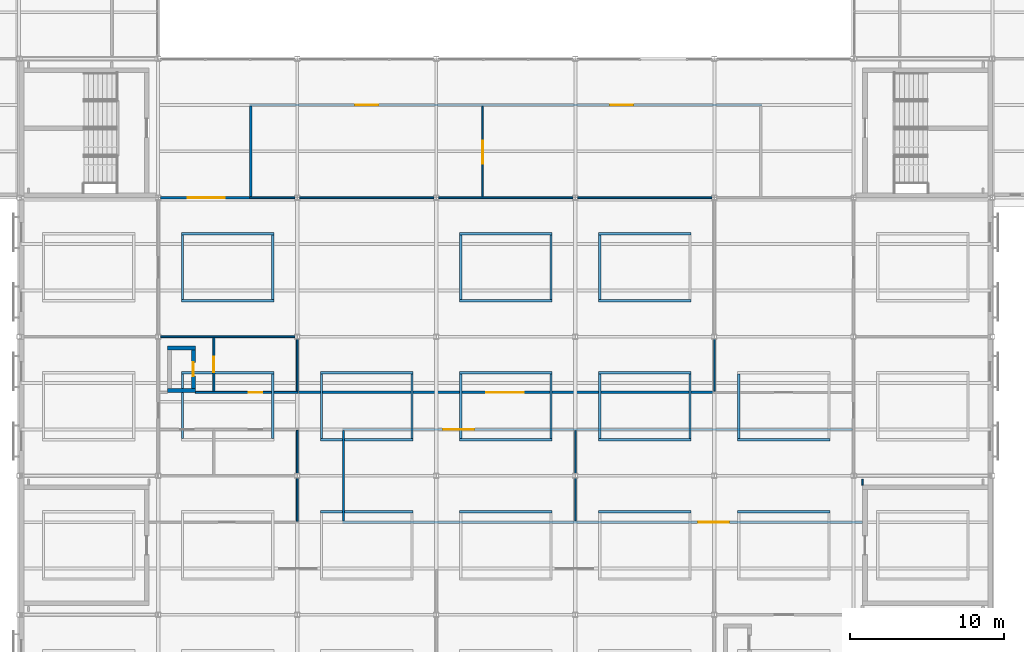
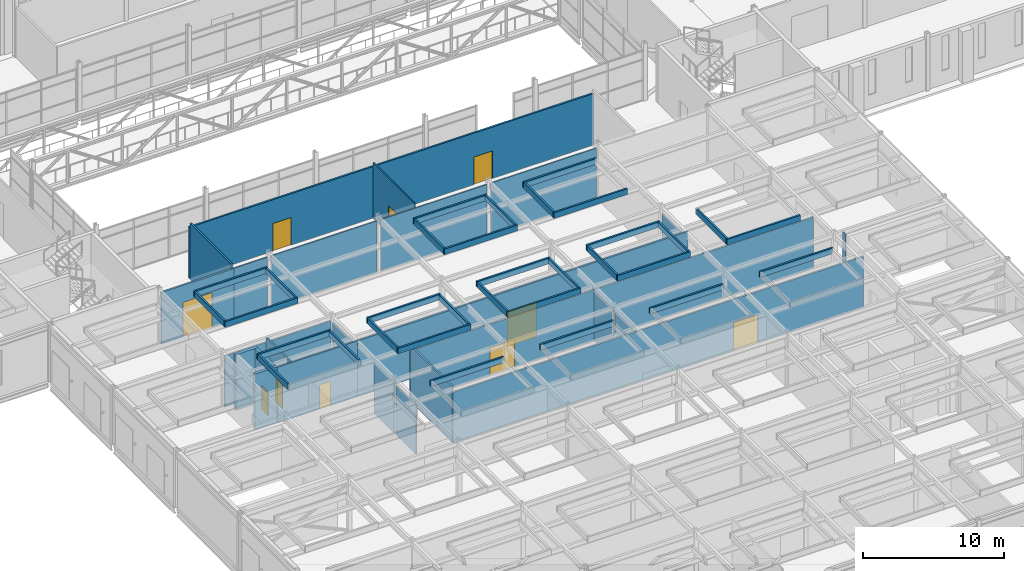
# One storey, part 81 of 115: 57 walls, 10 doors, 10 openings.
"""IFC4 building model written with IfcOpenShell, lengths in metres."""

import ifcopenshell
import ifcopenshell.guid

model = None  # the IFC model being written
_history = None  # IfcOwnerHistory: only IFC2X3 demands one
_inside = {}  # id of a spatial element -> (the spatial element, [elements in it])
_under = {}  # id of a project, library or spatial element -> (it, [spatial elements below it])
_declared = {}  # id of a project -> (the project, [libraries it declares])
_typed = {}  # id of a type object -> (the type object, [elements of that type])
_made_of = {}  # id of a material, layer set ... -> (it, [elements and type objects made of it])


def new_model(schema):
    """Start an empty IFC model of exactly this schema.

    Asked for "IFC4X3", IfcOpenShell would pick the latest addendum, in which some entities
    have other attributes; the version numbers below select the first issue.
    IFC2X3 requires an IfcOwnerHistory on every rooted entity: one is made here for all.
    """
    global model, _history
    if schema == "IFC4X3":
        model = ifcopenshell.file(schema_version=(4, 3, 0, 0))
    else:
        model = ifcopenshell.file(schema=schema)
    _inside.clear()
    _under.clear()
    _declared.clear()
    _typed.clear()
    _made_of.clear()
    _history = None
    if model.schema == "IFC2X3":
        org = make("IfcOrganization", Name="unknown")
        user = make(
            "IfcPersonAndOrganization",
            ThePerson=make("IfcPerson", FamilyName="unknown"),
            TheOrganization=org,
        )
        app = make(
            "IfcApplication",
            ApplicationDeveloper=org,
            Version="unknown",
            ApplicationFullName="unknown",
            ApplicationIdentifier="unknown",
        )
        _history = make(
            "IfcOwnerHistory",
            OwningUser=user,
            OwningApplication=app,
            ChangeAction="ADDED",
            CreationDate=0,
        )
    return model


def make(cls, **values):
    """One entity of the class cls with the attributes given. An attribute that is None is left unset."""
    return model.create_entity(
        cls, **{name: value for name, value in values.items() if value is not None}
    )


def rooted(cls, **values):
    """An entity with a GlobalId (a new one), such as an element, a storey or a relation."""
    return make(cls, GlobalId=ifcopenshell.guid.new(), OwnerHistory=_history, **values)


def si_unit(unit_type, name, prefix=None):
    """IfcSIUnit, for example si_unit("LENGTHUNIT", "METRE", prefix="MILLI")."""
    return make("IfcSIUnit", UnitType=unit_type, Prefix=prefix, Name=name)


def assignment(units):
    """IfcUnitAssignment: the units of a project."""
    return None if units is None else make("IfcUnitAssignment", Units=units)


def point(xyz):
    """IfcCartesianPoint."""
    return None if xyz is None else make("IfcCartesianPoint", Coordinates=xyz)


def direction(xyz):
    """IfcDirection."""
    return None if xyz is None else make("IfcDirection", DirectionRatios=xyz)


def frame(location, z_axis=None, x_axis=None):
    """IfcAxis2Placement3D, a coordinate frame: its origin and axes. An axis left out is left unset."""
    return make(
        "IfcAxis2Placement3D",
        Location=point(location),
        Axis=direction(z_axis),
        RefDirection=direction(x_axis),
    )


def frame_2d(location, x_axis=None):
    """IfcAxis2Placement2D, a coordinate frame in the plane: its origin and x axis."""
    return make(
        "IfcAxis2Placement2D", Location=point(location), RefDirection=direction(x_axis)
    )


def origin():
    """The frame at (0, 0, 0) with its axes left unset."""
    return frame((0.0, 0.0, 0.0))


def place(relative_to, where):
    """IfcLocalPlacement: puts the frame where relative to a parent placement (None: the world)."""
    return make(
        "IfcLocalPlacement", PlacementRelTo=relative_to, RelativePlacement=where
    )


def context(
    kind, dimensions, precision=None, world=None, true_north=None, identifier=None
):
    """IfcGeometricRepresentationContext, for example the 3D "Model" context."""
    return make(
        "IfcGeometricRepresentationContext",
        ContextIdentifier=identifier,
        ContextType=kind,
        CoordinateSpaceDimension=dimensions,
        Precision=precision,
        WorldCoordinateSystem=world,
        TrueNorth=true_north,
    )


def subcontext(parent, identifier, kind, view, scale=None):
    """IfcGeometricRepresentationSubContext, for example "Body" below "Model"."""
    return make(
        "IfcGeometricRepresentationSubContext",
        ContextIdentifier=identifier,
        ContextType=kind,
        ParentContext=parent,
        TargetScale=scale,
        TargetView=view,
    )


def project(units=None, contexts=None):
    """IfcProject with its units and contexts."""
    return rooted(
        "IfcProject",
        Name="project",
        RepresentationContexts=contexts,
        UnitsInContext=assignment(units),
    )


def spatial(cls, under=None, at=None, **own):
    """A site, building, storey or space (cls), placed at a placement, below another one or the project."""
    s = rooted(cls, ObjectPlacement=at, **own)
    if under is not None:
        _under.setdefault(under.id(), (under, []))[1].append(s)
    return s


def profile(cls, at=None, kind="AREA", **sizes):
    """A parametric profile (cls). Its sizes go by their IFC names, for example OverallWidth=200.0."""
    return make(cls, ProfileType=kind, Position=at, **sizes)


def rectangle(**sizes):
    """IfcRectangleProfileDef."""
    return profile("IfcRectangleProfileDef", **sizes)


def extrude(swept, where, along, depth):
    """IfcExtrudedAreaSolid: the profile swept, set in the frame where, extruded along a direction by depth."""
    return make(
        "IfcExtrudedAreaSolid",
        SweptArea=swept,
        Position=where,
        ExtrudedDirection=direction(along),
        Depth=depth,
    )


def shape(context_of_items, identifier, shape_type, items):
    """IfcShapeRepresentation: the items that make up one representation, for example the "Body"."""
    return make(
        "IfcShapeRepresentation",
        ContextOfItems=context_of_items,
        RepresentationIdentifier=identifier,
        RepresentationType=shape_type,
        Items=items,
    )


def material(Name=None, Category=None):
    """IfcMaterial."""
    return make("IfcMaterial", Name=Name, Category=Category)


def layer(
    of_material, thickness, ventilated=None, Name=None, Category=None, Priority=None
):
    """IfcMaterialLayer: one layer of a wall or slab, of a material (None: an air gap)."""
    return make(
        "IfcMaterialLayer",
        Material=of_material,
        LayerThickness=thickness,
        IsVentilated=ventilated,
        Name=Name,
        Category=Category,
        Priority=Priority,
    )


def layer_set(layers, Name=None):
    """IfcMaterialLayerSet."""
    return make("IfcMaterialLayerSet", MaterialLayers=layers, LayerSetName=Name)


def made_of(thing, what):
    """Note that an element or type object is made of a material, layer set ...; save() writes the relation."""
    if what is not None:
        _made_of.setdefault(what.id(), (what, []))[1].append(thing)
    return thing


def type_object(cls, material=None, **own):
    """A type object (cls), such as IfcWallType, which elements share."""
    return made_of(rooted(cls, **own), material)


def element(
    cls,
    number,
    at=None,
    inside=None,
    cuts=None,
    type_object=None,
    material=None,
    context=None,
    identifier="Body",
    shape_type=None,
    held_by="IfcProductDefinitionShape",
    body=None,
    shapes=None,
    **own,
):
    """One element of the class cls, such as IfcWall. Its Tag is "e" and its number.

    at: its placement. inside: the storey or other place that contains it. cuts: it is an
    opening in that element (IfcRelVoidsElement). A single representation is given by context,
    identifier, shape_type and body (its items); several are given by shapes. held_by: the class
    of the entity that holds the representations. save() writes the other relations.
    """
    e = rooted(cls, Tag="e%d" % number, ObjectPlacement=at, **own)
    if body is not None:
        shapes = [shape(context, identifier, shape_type, body)]
    if shapes is not None:
        e.Representation = make(held_by, Representations=shapes)
    if inside is not None:
        _inside.setdefault(inside.id(), (inside, []))[1].append(e)
    if cuts is not None:
        rooted(
            "IfcRelVoidsElement", RelatingBuildingElement=cuts, RelatedOpeningElement=e
        )
    if type_object is not None:
        _typed.setdefault(type_object.id(), (type_object, []))[1].append(e)
    return made_of(e, material)


def fill(opening, filler):
    """IfcRelFillsElement: the door or window that sits in an opening."""
    return rooted(
        "IfcRelFillsElement",
        RelatingOpeningElement=opening,
        RelatedBuildingElement=filler,
    )


def aggregate(whole, parts):
    """IfcRelAggregates: a whole, such as a stair, and the parts it consists of."""
    return rooted("IfcRelAggregates", RelatingObject=whole, RelatedObjects=parts)


def save(model, path):
    """Write the relations noted so far, then the file.

    IfcRelAggregates (storeys below a building ...), IfcRelContainedInSpatialStructure (elements
    in a storey), IfcRelDefinesByType, IfcRelAssociatesMaterial and IfcRelDeclares: one each for
    every whole, place, type object, material and project.
    """
    for whole, parts in _under.values():
        aggregate(whole, parts)
    for where, things in _inside.values():
        rooted(
            "IfcRelContainedInSpatialStructure",
            RelatedElements=things,
            RelatingStructure=where,
        )
    for kind, things in _typed.values():
        rooted("IfcRelDefinesByType", RelatedObjects=things, RelatingType=kind)
    for what, things in _made_of.values():
        rooted("IfcRelAssociatesMaterial", RelatedObjects=things, RelatingMaterial=what)
    for by, libraries in _declared.values():
        rooted("IfcRelDeclares", RelatingContext=by, RelatedDefinitions=libraries)
    model.write(path)


model = new_model("IFC4")

# Units and contexts
model_context = context("Model", 3, precision=1e-05, world=origin(), true_north=direction((0.0, 1.0)))
body_context = subcontext(model_context, "Body", "Model", "MODEL_VIEW")
ifc_project = project(units=[si_unit("LENGTHUNIT", "METRE"), si_unit("AREAUNIT", "SQUARE_METRE"), si_unit("VOLUMEUNIT", "CUBIC_METRE"), si_unit("PLANEANGLEUNIT", "RADIAN"), si_unit("MASSUNIT", "GRAM", prefix="KILO")], contexts=[model_context])

# Site, building, storey
site_placement = place(None, origin())
site = spatial("IfcSite", under=ifc_project, at=site_placement, CompositionType="ELEMENT")
building_placement = place(site_placement, origin())
building = spatial("IfcBuilding", under=site, at=building_placement, Name="Shorebreak Coast Museum", CompositionType="ELEMENT")
storey_placement = place(building_placement, frame((0.0, 0.0, 11.0)))
storey = spatial("IfcBuildingStorey", under=building, at=storey_placement, Name="L02", CompositionType="ELEMENT", Elevation=11.0)

# Wall, opening, door
ifc_material_1 = material(Name="Plasterboard on steel stud", Category="steel")
ifc_layer_1 = layer(ifc_material_1, 0.14990234375)
ifc_layer_set_1 = layer_set([ifc_layer_1], Name="Plasterboard on steel stud")
wall_type_1 = type_object("IfcWallType", Name="Fire partition 150", PredefinedType="PARTITIONING", material=ifc_layer_set_1)
wall_1_placement = place(storey_placement, frame((74.925048828125, 33.0, 0.0), z_axis=(0.0, 0.0, 1.0), x_axis=(1.0, 0.0, 0.0)))
wall_1 = element("IfcWall", 1, at=wall_1_placement, inside=storey, type_object=wall_type_1, Name="Partition L02-018", PredefinedType="PARTITIONING", context=body_context, shape_type="SweptSolid", body=[
    extrude(rectangle(XDim=33.675048828125, YDim=0.14990234375, at=frame_2d((16.83740234375, 0.0))), origin(), (0.0, 0.0, 1.0), 4.42236328125),
])
opening_1_placement = place(wall_1_placement, frame((23.02490234375, 0.0, 0.0)))
opening_1 = element("IfcOpeningElement", 2, at=opening_1_placement, cuts=wall_1, Name="Opening D2035", PredefinedType="OPENING", context=body_context, shape_type="SweptSolid", body=[
    extrude(rectangle(XDim=2.0, YDim=2.39990234375, at=frame_2d((1.0, 1.199951171875))), frame((0.0, 0.0849609375, 0.0), z_axis=(0.0, -1.0, 0.0), x_axis=(1.0, 0.0, 0.0)), (0.0, 0.0, 1.0), 0.169921875),
])
ifc_material_2 = material(Name="Steel", Category="steel")
door_type_1 = type_object("IfcDoorType", Name="Fire door 2000x2400 60", OperationType="DOUBLE_DOOR_SINGLE_SWING", PredefinedType="DOOR", material=ifc_material_2)
door_1_placement = place(opening_1_placement, origin())
door_1 = element("IfcDoor", 3, at=door_1_placement, inside=storey, type_object=door_type_1, Name="Door D2035 Archive 2.06", OperationType="DOUBLE_DOOR_SINGLE_SWING", OverallHeight=2.39990234375, OverallWidth=2.0, PredefinedType="DOOR", context=body_context, shape_type="SweptSolid", body=[
    extrude(rectangle(XDim=2.0, YDim=2.39990234375, at=frame_2d((1.0, 1.199951171875))), frame((0.0, 0.02490234375, 0.0), z_axis=(0.0, -1.0, 0.0), x_axis=(1.0, 0.0, 0.0)), (0.0, 0.0, 1.0), 0.050048828125),
])
fill(opening_1, door_1)

wall_2_placement = place(storey_placement, frame((74.925048828125, 39.0, 0.0), z_axis=(0.0, 0.0, 1.0), x_axis=(1.0, 0.0, 0.0)))
wall_2 = element("IfcWall", 4, at=wall_2_placement, inside=storey, type_object=wall_type_1, Name="Partition L02-021", PredefinedType="PARTITIONING", context=body_context, shape_type="SweptSolid", body=[
    extrude(rectangle(XDim=33.02490234375, YDim=0.14990234375, at=frame_2d((16.512451171875, 0.0))), origin(), (0.0, 0.0, 1.0), 4.42236328125),
])
opening_2_placement = place(wall_2_placement, frame((6.52490234375, 0.0, 0.0)))
opening_2 = element("IfcOpeningElement", 5, at=opening_2_placement, cuts=wall_2, Name="Opening D2034", PredefinedType="OPENING", context=body_context, shape_type="SweptSolid", body=[
    extrude(rectangle(XDim=2.0, YDim=2.39990234375, at=frame_2d((1.0, 1.199951171875))), frame((0.0, 0.0849609375, 0.0), z_axis=(0.0, -1.0, 0.0), x_axis=(1.0, 0.0, 0.0)), (0.0, 0.0, 1.0), 0.169921875),
])
door_2_placement = place(opening_2_placement, origin())
door_2 = element("IfcDoor", 6, at=door_2_placement, inside=storey, type_object=door_type_1, Name="Door D2034 Archive 2.05", OperationType="DOUBLE_DOOR_SINGLE_SWING", OverallHeight=2.39990234375, OverallWidth=2.0, PredefinedType="DOOR", context=body_context, shape_type="SweptSolid", body=[
    extrude(rectangle(XDim=2.0, YDim=2.39990234375, at=frame_2d((1.0, 1.199951171875))), frame((0.0, 0.02490234375, 0.0), z_axis=(0.0, -1.0, 0.0), x_axis=(1.0, 0.0, 0.0)), (0.0, 0.0, 1.0), 0.050048828125),
])
fill(opening_2, door_2)

wall_3_placement = place(storey_placement, frame((71.9375, 41.39990234375, 0.0), z_axis=(0.0, 0.0, 1.0), x_axis=(1.0, 0.0, 0.0)))
wall_3 = element("IfcWall", 7, at=wall_3_placement, inside=storey, type_object=wall_type_1, Name="Partition L02-024", PredefinedType="PARTITIONING", context=body_context, shape_type="SweptSolid", body=[
    extrude(rectangle(XDim=27.112548828125, YDim=0.14990234375, at=frame_2d((13.55615234375, 0.0))), origin(), (0.0, 0.0, 1.0), 4.824951171875),
])
opening_3_placement = place(wall_3_placement, frame((12.3125, 0.0, 0.0)))
opening_3 = element("IfcOpeningElement", 8, at=opening_3_placement, cuts=wall_3, Name="Opening D2043", PredefinedType="OPENING", context=body_context, shape_type="SweptSolid", body=[
    extrude(rectangle(XDim=2.39990234375, YDim=3.0, at=frame_2d((1.199951171875, 1.5))), frame((0.0, 0.0849609375, 0.0), z_axis=(0.0, -1.0, 0.0), x_axis=(1.0, 0.0, 0.0)), (0.0, 0.0, 1.0), 0.169921875),
])
ifc_material_3 = material(Name="Steel", Category="steel")
door_type_2 = type_object("IfcDoorType", Name="Fire door 2400x3000 60", OperationType="DOUBLE_DOOR_SINGLE_SWING", PredefinedType="DOOR", material=ifc_material_3)
door_3_placement = place(opening_3_placement, origin())
door_3 = element("IfcDoor", 9, at=door_3_placement, inside=storey, type_object=door_type_2, Name="Door D2043 Archive 2.07", OperationType="DOUBLE_DOOR_SINGLE_SWING", OverallHeight=3.0, OverallWidth=2.39990234375, PredefinedType="DOOR", context=body_context, shape_type="SweptSolid", body=[
    extrude(rectangle(XDim=2.39990234375, YDim=3.0, at=frame_2d((1.199951171875, 1.5))), frame((0.0, 0.02490234375, 0.0), z_axis=(0.0, -1.0, 0.0), x_axis=(1.0, 0.0, 0.0)), (0.0, 0.0, 1.0), 0.050048828125),
])
fill(opening_3, door_3)

wall_4_placement = place(storey_placement, frame((63.153564453125, 54.0, 0.0), z_axis=(0.0, 0.0, 1.0), x_axis=(1.0, 0.0, 0.0)))
wall_4 = element("IfcWall", 10, at=wall_4_placement, inside=storey, type_object=wall_type_1, Name="Partition L02-029", PredefinedType="PARTITIONING", context=body_context, shape_type="SweptSolid", body=[
    extrude(rectangle(XDim=5.92138671875, YDim=0.14990234375, at=frame_2d((2.960693359375, 0.0))), origin(), (0.0, 0.0, 1.0), 4.469482421875),
])
opening_4_placement = place(wall_4_placement, frame((1.75, 0.0, 0.0)))
opening_4 = element("IfcOpeningElement", 11, at=opening_4_placement, cuts=wall_4, Name="Opening D2066", PredefinedType="OPENING", context=body_context, shape_type="SweptSolid", body=[
    extrude(rectangle(XDim=2.39990234375, YDim=3.0, at=frame_2d((1.199951171875, 1.5))), frame((0.0, 0.0849609375, 0.0), z_axis=(0.0, -1.0, 0.0), x_axis=(1.0, 0.0, 0.0)), (0.0, 0.0, 1.0), 0.169921875),
])
door_4_placement = place(opening_4_placement, origin())
door_4 = element("IfcDoor", 12, at=door_4_placement, inside=storey, type_object=door_type_2, Name="Door D2066 Archive 2.07", OperationType="DOUBLE_DOOR_SINGLE_SWING", OverallHeight=3.0, OverallWidth=2.39990234375, PredefinedType="DOOR", context=body_context, shape_type="SweptSolid", body=[
    extrude(rectangle(XDim=2.39990234375, YDim=3.0, at=frame_2d((1.199951171875, 1.5))), frame((0.0, 0.02490234375, 0.0), z_axis=(0.0, -1.0, 0.0), x_axis=(1.0, 0.0, 0.0)), (0.0, 0.0, 1.0), 0.050048828125),
])
fill(opening_4, door_4)

# Wall, openings, doors
wall_5_placement = place(storey_placement, frame((68.925048828125, 60.0, 0.0), z_axis=(0.0, 0.0, 1.0), x_axis=(1.0, 0.0, 0.0)))
wall_5 = element("IfcWall", 13, at=wall_5_placement, inside=storey, type_object=wall_type_1, Name="Partition L02-041", PredefinedType="PARTITIONING", context=body_context, shape_type="SweptSolid", body=[
    extrude(rectangle(XDim=33.14990234375, YDim=0.14990234375, at=frame_2d((16.574951171875, 0.0))), origin(), (0.0, 0.0, 1.0), 4.469482421875),
])
opening_5_placement = place(wall_5_placement, frame((6.824951171875, 0.0, 0.0)))
opening_5 = element("IfcOpeningElement", 14, at=opening_5_placement, cuts=wall_5, Name="Opening D2003", PredefinedType="OPENING", context=body_context, shape_type="SweptSolid", body=[
    extrude(rectangle(XDim=1.5, YDim=2.39990234375, at=frame_2d((0.75, 1.199951171875))), frame((0.0, 0.0849609375, 0.0), z_axis=(0.0, -1.0, 0.0), x_axis=(1.0, 0.0, 0.0)), (0.0, 0.0, 1.0), 0.169921875),
])
opening_6_placement = place(wall_5_placement, frame((23.324951171875, 0.0, 0.0)))
opening_6 = element("IfcOpeningElement", 15, at=opening_6_placement, cuts=wall_5, Name="Opening D2004", PredefinedType="OPENING", context=body_context, shape_type="SweptSolid", body=[
    extrude(rectangle(XDim=1.5, YDim=2.39990234375, at=frame_2d((0.75, 1.199951171875))), frame((0.0, 0.0849609375, 0.0), z_axis=(0.0, -1.0, 0.0), x_axis=(1.0, 0.0, 0.0)), (0.0, 0.0, 1.0), 0.169921875),
])
ifc_material_4 = material(Name="Steel", Category="steel")
door_type_3 = type_object("IfcDoorType", Name="Fire door 1500x2400 60", OperationType="DOUBLE_DOOR_SINGLE_SWING", PredefinedType="DOOR", material=ifc_material_4)
door_5_placement = place(opening_5_placement, origin())
door_5 = element("IfcDoor", 16, at=door_5_placement, inside=storey, type_object=door_type_3, Name="Door D2003 Surf Craft Gallery", OperationType="DOUBLE_DOOR_SINGLE_SWING", OverallHeight=2.39990234375, OverallWidth=1.5, PredefinedType="DOOR", context=body_context, shape_type="SweptSolid", body=[
    extrude(rectangle(XDim=1.5, YDim=2.39990234375, at=frame_2d((0.75, 1.199951171875))), frame((0.0, 0.02490234375, 0.0), z_axis=(0.0, -1.0, 0.0), x_axis=(1.0, 0.0, 0.0)), (0.0, 0.0, 1.0), 0.050048828125),
])
fill(opening_5, door_5)
door_6_placement = place(opening_6_placement, origin())
door_6 = element("IfcDoor", 17, at=door_6_placement, inside=storey, type_object=door_type_3, Name="Door D2004 Photography Gallery", OperationType="DOUBLE_DOOR_SINGLE_SWING", OverallHeight=2.39990234375, OverallWidth=1.5, PredefinedType="DOOR", context=body_context, shape_type="SweptSolid", body=[
    extrude(rectangle(XDim=1.5, YDim=2.39990234375, at=frame_2d((0.75, 1.199951171875))), frame((0.0, 0.02490234375, 0.0), z_axis=(0.0, -1.0, 0.0), x_axis=(1.0, 0.0, 0.0)), (0.0, 0.0, 1.0), 0.050048828125),
])
fill(opening_6, door_6)

# Walls
for number, where, z_axis, x_axis, name in (
    (18, (69.0, 54.074951171875, 0.0), (0.0, 0.0, 1.0), (0.0, 1.0, 0.0), "Partition L02-124"),
    (19, (75.0, 33.074951171875, 0.0), (0.0, 0.0, 1.0), (0.0, 1.0, 0.0), "Partition L02-130"),
):
    element("IfcWall", number, at=place(storey_placement, frame(where, z_axis=z_axis, x_axis=x_axis)), inside=storey, type_object=wall_type_1, Name=name, PredefinedType="PARTITIONING", context=body_context, shape_type="SweptSolid", body=[
        extrude(rectangle(XDim=5.85009765625, YDim=0.14990234375, at=frame_2d((2.925048828125, 0.0))), origin(), (0.0, 0.0, 1.0), 4.824951171875),
    ])
ifc_material_5 = material(Name="Plasterboard on steel stud", Category="steel")
ifc_layer_2 = layer(ifc_material_5, 0.10009765625)
ifc_layer_set_2 = layer_set([ifc_layer_2], Name="Plasterboard on steel stud")
wall_type_2 = type_object("IfcWallType", Name="Partition 100", PredefinedType="PARTITIONING", material=ifc_layer_set_2)
wall_6_placement = place(storey_placement, frame((68.925048828125, 54.0, 0.0), z_axis=(0.0, 0.0, 1.0), x_axis=(1.0, 0.0, 0.0)))
element("IfcWall", 20, at=wall_6_placement, inside=storey, type_object=wall_type_2, Name="Partition L02-030", PredefinedType="PARTITIONING", context=body_context, shape_type="SweptSolid", body=[
    extrude(rectangle(XDim=2.92138671875, YDim=0.10009765625, at=frame_2d((1.460693359375, 0.0))), origin(), (0.0, 0.0, 1.0), 4.469482421875),
])
for number, where, z_axis, x_axis, name in (
    (21, (72.153564453125, 54.0, 0.0), (0.0, 0.0, 1.0), (1.0, 0.0, 0.0), "Partition L02-031"),
    (22, (81.153564453125, 54.0, 0.0), (0.0, 0.0, 1.0), (1.0, 0.0, 0.0), "Partition L02-032"),
    (23, (90.153564453125, 54.0, 0.0), (0.0, 0.0, 1.0), (1.0, 0.0, 0.0), "Partition L02-033"),
):
    element("IfcWall", number, at=place(storey_placement, frame(where, z_axis=z_axis, x_axis=x_axis)), inside=storey, type_object=wall_type_2, Name=name, PredefinedType="PARTITIONING", context=body_context, shape_type="SweptSolid", body=[
        extrude(rectangle(XDim=8.69287109375, YDim=0.10009765625, at=frame_2d((4.346435546875, 0.0))), origin(), (0.0, 0.0, 1.0), 4.469482421875),
    ])
wall_7_placement = place(storey_placement, frame((72.0, 33.050048828125, 0.0), z_axis=(0.0, 0.0, 1.0), x_axis=(0.0, 1.0, 0.0)))
element("IfcWall", 24, at=wall_7_placement, inside=storey, type_object=wall_type_2, Name="Partition L02-125", PredefinedType="PARTITIONING", context=body_context, shape_type="SweptSolid", body=[
    extrude(rectangle(XDim=2.792724609375, YDim=0.10009765625, at=frame_2d((1.396484375, 0.0))), origin(), (0.0, 0.0, 1.0), 4.296875),
])

# Wall, opening, door
wall_8_placement = place(storey_placement, frame((84.0, 54.050048828125, 0.0), z_axis=(0.0, 0.0, 1.0), x_axis=(0.0, 1.0, 0.0)))
wall_8 = element("IfcWall", 25, at=wall_8_placement, inside=storey, type_object=wall_type_2, Name="Partition L02-136", PredefinedType="PARTITIONING", context=body_context, shape_type="SweptSolid", body=[
    extrude(rectangle(XDim=5.875, YDim=0.10009765625, at=frame_2d((2.9375, 0.0))), origin(), (0.0, 0.0, 1.0), 4.824951171875),
])
opening_7_placement = place(wall_8_placement, frame((2.14990234375, 0.0, 0.0)))
opening_7 = element("IfcOpeningElement", 26, at=opening_7_placement, cuts=wall_8, Name="Opening D2069", PredefinedType="OPENING", context=body_context, shape_type="SweptSolid", body=[
    extrude(rectangle(XDim=1.5, YDim=2.39990234375, at=frame_2d((0.75, 1.199951171875))), frame((0.0, 0.06005859375, 0.0), z_axis=(0.0, -1.0, 0.0), x_axis=(1.0, 0.0, 0.0)), (0.0, 0.0, 1.0), 0.1201171875),
])
ifc_material_6 = material(Name="Timber", Category="wood")
door_type_4 = type_object("IfcDoorType", Name="Interior door 1500x2400", OperationType="DOUBLE_DOOR_SINGLE_SWING", PredefinedType="DOOR", material=ifc_material_6)
door_7_placement = place(opening_7_placement, origin())
door_7 = element("IfcDoor", 27, at=door_7_placement, inside=storey, type_object=door_type_4, Name="Door D2069 Surf Craft Gallery", OperationType="DOUBLE_DOOR_SINGLE_SWING", OverallHeight=2.39990234375, OverallWidth=1.5, PredefinedType="DOOR", context=body_context, shape_type="SweptSolid", body=[
    extrude(rectangle(XDim=1.5, YDim=2.39990234375, at=frame_2d((0.75, 1.199951171875))), frame((0.0, 0.02490234375, 0.0), z_axis=(0.0, -1.0, 0.0), x_axis=(1.0, 0.0, 0.0)), (0.0, 0.0, 1.0), 0.050048828125),
])
fill(opening_7, door_7)

# Walls
for number, where, z_axis, x_axis, name in (
    (28, (90.0, 33.074951171875, 0.0), (0.0, 0.0, 1.0), (0.0, 1.0, 0.0), "Partition L02-141"),
    (29, (90.0, 36.1572265625, 0.0), (0.0, 0.0, 1.0), (0.0, 1.0, 0.0), "Partition L02-142"),
):
    element("IfcWall", number, at=place(storey_placement, frame(where, z_axis=z_axis, x_axis=x_axis)), inside=storey, type_object=wall_type_2, Name=name, PredefinedType="PARTITIONING", context=body_context, shape_type="SweptSolid", body=[
        extrude(rectangle(XDim=2.767822265625, YDim=0.10009765625, at=frame_2d((1.3837890625, 0.0))), origin(), (0.0, 0.0, 1.0), 4.296875),
    ])
wall_9_placement = place(storey_placement, frame((99.0, 41.47509765625, 0.0), z_axis=(0.0, 0.0, 1.0), x_axis=(0.0, 1.0, 0.0)))
element("IfcWall", 30, at=wall_9_placement, inside=storey, type_object=wall_type_2, Name="Partition L02-148", PredefinedType="PARTITIONING", context=body_context, shape_type="SweptSolid", body=[
    extrude(rectangle(XDim=3.36767578125, YDim=0.10009765625, at=frame_2d((1.683837890625, 0.0))), origin(), (0.0, 0.0, 1.0), 4.296875),
])
wall_10_placement = place(storey_placement, frame((108.60009765625, 35.39990234375, 0.0), z_axis=(0.0, 0.0, 1.0), x_axis=(0.0, 1.0, 0.0)))
element("IfcWall", 31, at=wall_10_placement, inside=storey, type_object=wall_type_2, Name="Partition L02-164", PredefinedType="PARTITIONING", context=body_context, shape_type="SweptSolid", body=[
    extrude(rectangle(XDim=0.380126953125, YDim=0.10009765625, at=frame_2d((0.18994140625, 0.0))), origin(), (0.0, 0.0, 1.0), 4.824951171875),
])

# Wall, opening, door
ifc_material_7 = material(Name="Plasterboard on steel stud", Category="steel")
ifc_layer_3 = layer(ifc_material_7, 0.125)
ifc_layer_set_3 = layer_set([ifc_layer_3], Name="Plasterboard on steel stud")
wall_type_3 = type_object("IfcWallType", Name="Partition 125", PredefinedType="PARTITIONING", material=ifc_layer_set_3)
wall_11_placement = place(storey_placement, frame((65.39990234375, 41.39990234375, 0.0), z_axis=(0.0, 0.0, 1.0), x_axis=(1.0, 0.0, 0.0)))
wall_11 = element("IfcWall", 32, at=wall_11_placement, inside=storey, type_object=wall_type_3, Name="Partition L02-023", PredefinedType="PARTITIONING", context=body_context, shape_type="SweptSolid", body=[
    extrude(rectangle(XDim=6.66259765625, YDim=0.125, at=frame_2d((3.331298828125, 0.0))), origin(), (0.0, 0.0, 1.0), 4.824951171875),
])
opening_8_placement = place(wall_11_placement, frame((3.449951171875, 0.0, 0.0)))
opening_8 = element("IfcOpeningElement", 33, at=opening_8_placement, cuts=wall_11, Name="Opening D2038", PredefinedType="OPENING", context=body_context, shape_type="SweptSolid", body=[
    extrude(rectangle(XDim=0.89990234375, YDim=2.10009765625, at=frame_2d((0.449951171875, 1.050048828125))), frame((0.0, 0.072509765625, 0.0), z_axis=(0.0, -1.0, 0.0), x_axis=(1.0, 0.0, 0.0)), (0.0, 0.0, 1.0), 0.14501953125),
])
ifc_material_8 = material(Name="Timber", Category="wood")
door_type_5 = type_object("IfcDoorType", Name="Interior door 900x2100", OperationType="SINGLE_SWING_LEFT", PredefinedType="DOOR", material=ifc_material_8)
door_8_placement = place(opening_8_placement, origin())
door_8 = element("IfcDoor", 34, at=door_8_placement, inside=storey, type_object=door_type_5, Name="Door D2038 Female WC S", OperationType="SINGLE_SWING_LEFT", OverallHeight=2.10009765625, OverallWidth=0.89990234375, PredefinedType="DOOR", context=body_context, shape_type="SweptSolid", body=[
    extrude(rectangle(XDim=0.89990234375, YDim=2.10009765625, at=frame_2d((0.449951171875, 1.050048828125))), frame((0.0, 0.02490234375, 0.0), z_axis=(0.0, -1.0, 0.0), x_axis=(1.0, 0.0, 0.0)), (0.0, 0.0, 1.0), 0.050048828125),
])
fill(opening_8, door_8)

# Wall
wall_12_placement = place(storey_placement, frame((63.153564453125, 45.0, 0.0), z_axis=(0.0, 0.0, 1.0), x_axis=(1.0, 0.0, 0.0)))
element("IfcWall", 35, at=wall_12_placement, inside=storey, type_object=wall_type_3, Name="Partition L02-027", PredefinedType="PARTITIONING", context=body_context, shape_type="SweptSolid", body=[
    extrude(rectangle(XDim=8.69287109375, YDim=0.125, at=frame_2d((4.346435546875, 0.0))), origin(), (0.0, 0.0, 1.0), 4.418701171875),
])

# Wall, opening, door
wall_13_placement = place(storey_placement, frame((66.60009765625, 41.46240234375, 0.0), z_axis=(0.0, 0.0, 1.0), x_axis=(0.0, 1.0, 0.0)))
wall_13 = element("IfcWall", 36, at=wall_13_placement, inside=storey, type_object=wall_type_3, Name="Partition L02-123", PredefinedType="PARTITIONING", context=body_context, shape_type="SweptSolid", body=[
    extrude(rectangle(XDim=3.47509765625, YDim=0.125, at=frame_2d((1.737548828125, 0.0))), origin(), (0.0, 0.0, 1.0), 4.824951171875),
])
opening_9_placement = place(wall_13_placement, frame((1.25, 0.0, 0.0)))
opening_9 = element("IfcOpeningElement", 37, at=opening_9_placement, cuts=wall_13, Name="Opening D2037", PredefinedType="OPENING", context=body_context, shape_type="SweptSolid", body=[
    extrude(rectangle(XDim=1.0, YDim=2.10009765625, at=frame_2d((0.5, 1.050048828125))), frame((0.0, 0.072509765625, 0.0), z_axis=(0.0, -1.0, 0.0), x_axis=(1.0, 0.0, 0.0)), (0.0, 0.0, 1.0), 0.14501953125),
])
ifc_material_9 = material(Name="Timber", Category="wood")
door_type_6 = type_object("IfcDoorType", Name="Interior door 1000x2100", OperationType="SINGLE_SWING_LEFT", PredefinedType="DOOR", material=ifc_material_9)
door_9_placement = place(opening_9_placement, origin())
door_9 = element("IfcDoor", 38, at=door_9_placement, inside=storey, type_object=door_type_6, Name="Door D2037 Cleaner Store S", OperationType="SINGLE_SWING_RIGHT", OverallHeight=2.10009765625, OverallWidth=1.0, PredefinedType="DOOR", context=body_context, shape_type="SweptSolid", body=[
    extrude(rectangle(XDim=1.0, YDim=2.10009765625, at=frame_2d((0.5, 1.050048828125))), frame((0.0, 0.02490234375, 0.0), z_axis=(0.0, -1.0, 0.0), x_axis=(1.0, 0.0, 0.0)), (0.0, 0.0, 1.0), 0.050048828125),
])
fill(opening_9, door_9)

# Walls
wall_14_placement = place(storey_placement, frame((72.0, 36.1572265625, 0.0), z_axis=(0.0, 0.0, 1.0), x_axis=(0.0, 1.0, 0.0)))
element("IfcWall", 39, at=wall_14_placement, inside=storey, type_object=wall_type_3, Name="Partition L02-126", PredefinedType="PARTITIONING", context=body_context, shape_type="SweptSolid", body=[
    extrude(rectangle(XDim=2.7802734375, YDim=0.125, at=frame_2d((1.39013671875, 0.0))), origin(), (0.0, 0.0, 1.0), 4.296875),
])
wall_15_placement = place(storey_placement, frame((72.0, 41.47509765625, 0.0), z_axis=(0.0, 0.0, 1.0), x_axis=(0.0, 1.0, 0.0)))
element("IfcWall", 40, at=wall_15_placement, inside=storey, type_object=wall_type_3, Name="Partition L02-127", PredefinedType="PARTITIONING", context=body_context, shape_type="SweptSolid", body=[
    extrude(rectangle(XDim=3.36767578125, YDim=0.125, at=frame_2d((1.683837890625, 0.0))), origin(), (0.0, 0.0, 1.0), 4.296875),
])
ifc_material_10 = material(Name="Concrete N50 (50 MPa)", Category="concrete")
ifc_layer_4 = layer(ifc_material_10, 0.14990234375)
ifc_layer_set_4 = layer_set([ifc_layer_4], Name="Concrete N50 (50 MPa)")
wall_type_4 = type_object("IfcWallType", Name="Planter wall 150 high 500", PredefinedType="PARAPET", material=ifc_layer_set_4)
for number, where, z_axis, x_axis, name in (
    (41, (73.5, 33.675048828125, 5.0), (0.0, 0.0, 1.0), (1.0, 0.0, 0.0), "Planter SDECK 39 north wall"),
    (42, (82.5, 33.675048828125, 5.0), (0.0, 0.0, 1.0), (1.0, 0.0, 0.0), "Planter SDECK 40 north wall"),
    (43, (91.5, 33.675048828125, 5.0), (0.0, 0.0, 1.0), (1.0, 0.0, 0.0), "Planter SDECK 41 north wall"),
    (44, (100.5, 33.675048828125, 5.0), (0.0, 0.0, 1.0), (1.0, 0.0, 0.0), "Planter SDECK 42 north wall"),
    (45, (64.5, 42.675048828125, 5.0), (0.0, 0.0, 1.0), (1.0, 0.0, 0.0), "Planter SDECK 45 north wall"),
):
    element("IfcWall", number, at=place(storey_placement, frame(where, z_axis=z_axis, x_axis=x_axis)), inside=storey, type_object=wall_type_4, Name=name, PredefinedType="PARAPET", context=body_context, shape_type="SweptSolid", body=[
        extrude(rectangle(XDim=6.0, YDim=0.14990234375, at=frame_2d((3.0, 0.0))), origin(), (0.0, 0.0, 1.0), 0.5),
    ])
for number, where, z_axis, x_axis, name in (
    (46, (64.574951171875, 38.39990234375, 5.0), (0.0, 0.0, 1.0), (0.0, 1.0, 0.0), "Planter SDECK 45 west wall"),
    (47, (70.425048828125, 38.39990234375, 5.0), (0.0, 0.0, 1.0), (0.0, 1.0, 0.0), "Planter SDECK 45 east wall"),
):
    element("IfcWall", number, at=place(storey_placement, frame(where, z_axis=z_axis, x_axis=x_axis)), inside=storey, type_object=wall_type_4, Name=name, PredefinedType="PARAPET", context=body_context, shape_type="SweptSolid", body=[
        extrude(rectangle(XDim=4.2001953125, YDim=0.14990234375, at=frame_2d((2.10009765625, 0.0))), origin(), (0.0, 0.0, 1.0), 0.5),
    ])
for number, where, z_axis, x_axis, name in (
    (48, (73.5, 38.324951171875, 5.0), (0.0, 0.0, 1.0), (1.0, 0.0, 0.0), "Planter SDECK 46 south wall"),
    (49, (73.5, 42.675048828125, 5.0), (0.0, 0.0, 1.0), (1.0, 0.0, 0.0), "Planter SDECK 46 north wall"),
):
    element("IfcWall", number, at=place(storey_placement, frame(where, z_axis=z_axis, x_axis=x_axis)), inside=storey, type_object=wall_type_4, Name=name, PredefinedType="PARAPET", context=body_context, shape_type="SweptSolid", body=[
        extrude(rectangle(XDim=6.0, YDim=0.14990234375, at=frame_2d((3.0, 0.0))), origin(), (0.0, 0.0, 1.0), 0.5),
    ])
for number, where, z_axis, x_axis, name in (
    (50, (73.574951171875, 38.39990234375, 5.0), (0.0, 0.0, 1.0), (0.0, 1.0, 0.0), "Planter SDECK 46 west wall"),
    (51, (79.425048828125, 38.39990234375, 5.0), (0.0, 0.0, 1.0), (0.0, 1.0, 0.0), "Planter SDECK 46 east wall"),
):
    element("IfcWall", number, at=place(storey_placement, frame(where, z_axis=z_axis, x_axis=x_axis)), inside=storey, type_object=wall_type_4, Name=name, PredefinedType="PARAPET", context=body_context, shape_type="SweptSolid", body=[
        extrude(rectangle(XDim=4.2001953125, YDim=0.14990234375, at=frame_2d((2.10009765625, 0.0))), origin(), (0.0, 0.0, 1.0), 0.5),
    ])
for number, where, z_axis, x_axis, name in (
    (52, (82.5, 38.324951171875, 5.0), (0.0, 0.0, 1.0), (1.0, 0.0, 0.0), "Planter SDECK 47 south wall"),
    (53, (82.5, 42.675048828125, 5.0), (0.0, 0.0, 1.0), (1.0, 0.0, 0.0), "Planter SDECK 47 north wall"),
):
    element("IfcWall", number, at=place(storey_placement, frame(where, z_axis=z_axis, x_axis=x_axis)), inside=storey, type_object=wall_type_4, Name=name, PredefinedType="PARAPET", context=body_context, shape_type="SweptSolid", body=[
        extrude(rectangle(XDim=6.0, YDim=0.14990234375, at=frame_2d((3.0, 0.0))), origin(), (0.0, 0.0, 1.0), 0.5),
    ])
for number, where, z_axis, x_axis, name in (
    (54, (82.574951171875, 38.39990234375, 5.0), (0.0, 0.0, 1.0), (0.0, 1.0, 0.0), "Planter SDECK 47 west wall"),
    (55, (88.425048828125, 38.39990234375, 5.0), (0.0, 0.0, 1.0), (0.0, 1.0, 0.0), "Planter SDECK 47 east wall"),
):
    element("IfcWall", number, at=place(storey_placement, frame(where, z_axis=z_axis, x_axis=x_axis)), inside=storey, type_object=wall_type_4, Name=name, PredefinedType="PARAPET", context=body_context, shape_type="SweptSolid", body=[
        extrude(rectangle(XDim=4.2001953125, YDim=0.14990234375, at=frame_2d((2.10009765625, 0.0))), origin(), (0.0, 0.0, 1.0), 0.5),
    ])
for number, where, z_axis, x_axis, name in (
    (56, (91.5, 38.324951171875, 5.0), (0.0, 0.0, 1.0), (1.0, 0.0, 0.0), "Planter SDECK 48 south wall"),
    (57, (91.5, 42.675048828125, 5.0), (0.0, 0.0, 1.0), (1.0, 0.0, 0.0), "Planter SDECK 48 north wall"),
):
    element("IfcWall", number, at=place(storey_placement, frame(where, z_axis=z_axis, x_axis=x_axis)), inside=storey, type_object=wall_type_4, Name=name, PredefinedType="PARAPET", context=body_context, shape_type="SweptSolid", body=[
        extrude(rectangle(XDim=6.0, YDim=0.14990234375, at=frame_2d((3.0, 0.0))), origin(), (0.0, 0.0, 1.0), 0.5),
    ])
for number, where, z_axis, x_axis, name in (
    (58, (91.574951171875, 38.39990234375, 5.0), (0.0, 0.0, 1.0), (0.0, 1.0, 0.0), "Planter SDECK 48 west wall"),
    (59, (97.425048828125, 38.39990234375, 5.0), (0.0, 0.0, 1.0), (0.0, 1.0, 0.0), "Planter SDECK 48 east wall"),
):
    element("IfcWall", number, at=place(storey_placement, frame(where, z_axis=z_axis, x_axis=x_axis)), inside=storey, type_object=wall_type_4, Name=name, PredefinedType="PARAPET", context=body_context, shape_type="SweptSolid", body=[
        extrude(rectangle(XDim=4.2001953125, YDim=0.14990234375, at=frame_2d((2.10009765625, 0.0))), origin(), (0.0, 0.0, 1.0), 0.5),
    ])
wall_16_placement = place(storey_placement, frame((100.5, 38.324951171875, 5.0), z_axis=(0.0, 0.0, 1.0), x_axis=(1.0, 0.0, 0.0)))
element("IfcWall", 60, at=wall_16_placement, inside=storey, type_object=wall_type_4, Name="Planter SDECK 49 south wall", PredefinedType="PARAPET", context=body_context, shape_type="SweptSolid", body=[
    extrude(rectangle(XDim=6.0, YDim=0.14990234375, at=frame_2d((3.0, 0.0))), origin(), (0.0, 0.0, 1.0), 0.5),
])
wall_17_placement = place(storey_placement, frame((100.574951171875, 38.39990234375, 5.0), z_axis=(0.0, 0.0, 1.0), x_axis=(0.0, 1.0, 0.0)))
element("IfcWall", 61, at=wall_17_placement, inside=storey, type_object=wall_type_4, Name="Planter SDECK 49 west wall", PredefinedType="PARAPET", context=body_context, shape_type="SweptSolid", body=[
    extrude(rectangle(XDim=4.2001953125, YDim=0.14990234375, at=frame_2d((2.10009765625, 0.0))), origin(), (0.0, 0.0, 1.0), 0.5),
])
for number, where, z_axis, x_axis, name in (
    (62, (64.5, 47.324951171875, 5.0), (0.0, 0.0, 1.0), (1.0, 0.0, 0.0), "Planter SDECK 52 south wall"),
    (63, (64.5, 51.675048828125, 5.0), (0.0, 0.0, 1.0), (1.0, 0.0, 0.0), "Planter SDECK 52 north wall"),
):
    element("IfcWall", number, at=place(storey_placement, frame(where, z_axis=z_axis, x_axis=x_axis)), inside=storey, type_object=wall_type_4, Name=name, PredefinedType="PARAPET", context=body_context, shape_type="SweptSolid", body=[
        extrude(rectangle(XDim=6.0, YDim=0.14990234375, at=frame_2d((3.0, 0.0))), origin(), (0.0, 0.0, 1.0), 0.5),
    ])
for number, where, z_axis, x_axis, name in (
    (64, (64.574951171875, 47.39990234375, 5.0), (0.0, 0.0, 1.0), (0.0, 1.0, 0.0), "Planter SDECK 52 west wall"),
    (65, (70.425048828125, 47.39990234375, 5.0), (0.0, 0.0, 1.0), (0.0, 1.0, 0.0), "Planter SDECK 52 east wall"),
):
    element("IfcWall", number, at=place(storey_placement, frame(where, z_axis=z_axis, x_axis=x_axis)), inside=storey, type_object=wall_type_4, Name=name, PredefinedType="PARAPET", context=body_context, shape_type="SweptSolid", body=[
        extrude(rectangle(XDim=4.2001953125, YDim=0.14990234375, at=frame_2d((2.10009765625, 0.0))), origin(), (0.0, 0.0, 1.0), 0.5),
    ])
for number, where, z_axis, x_axis, name in (
    (66, (82.5, 47.324951171875, 5.0), (0.0, 0.0, 1.0), (1.0, 0.0, 0.0), "Planter SDECK 53 south wall"),
    (67, (82.5, 51.675048828125, 5.0), (0.0, 0.0, 1.0), (1.0, 0.0, 0.0), "Planter SDECK 53 north wall"),
):
    element("IfcWall", number, at=place(storey_placement, frame(where, z_axis=z_axis, x_axis=x_axis)), inside=storey, type_object=wall_type_4, Name=name, PredefinedType="PARAPET", context=body_context, shape_type="SweptSolid", body=[
        extrude(rectangle(XDim=6.0, YDim=0.14990234375, at=frame_2d((3.0, 0.0))), origin(), (0.0, 0.0, 1.0), 0.5),
    ])
for number, where, z_axis, x_axis, name in (
    (68, (82.574951171875, 47.39990234375, 5.0), (0.0, 0.0, 1.0), (0.0, 1.0, 0.0), "Planter SDECK 53 west wall"),
    (69, (88.425048828125, 47.39990234375, 5.0), (0.0, 0.0, 1.0), (0.0, 1.0, 0.0), "Planter SDECK 53 east wall"),
):
    element("IfcWall", number, at=place(storey_placement, frame(where, z_axis=z_axis, x_axis=x_axis)), inside=storey, type_object=wall_type_4, Name=name, PredefinedType="PARAPET", context=body_context, shape_type="SweptSolid", body=[
        extrude(rectangle(XDim=4.2001953125, YDim=0.14990234375, at=frame_2d((2.10009765625, 0.0))), origin(), (0.0, 0.0, 1.0), 0.5),
    ])
for number, where, z_axis, x_axis, name in (
    (70, (91.5, 47.324951171875, 5.0), (0.0, 0.0, 1.0), (1.0, 0.0, 0.0), "Planter SDECK 54 south wall"),
    (71, (91.5, 51.675048828125, 5.0), (0.0, 0.0, 1.0), (1.0, 0.0, 0.0), "Planter SDECK 54 north wall"),
):
    element("IfcWall", number, at=place(storey_placement, frame(where, z_axis=z_axis, x_axis=x_axis)), inside=storey, type_object=wall_type_4, Name=name, PredefinedType="PARAPET", context=body_context, shape_type="SweptSolid", body=[
        extrude(rectangle(XDim=6.0, YDim=0.14990234375, at=frame_2d((3.0, 0.0))), origin(), (0.0, 0.0, 1.0), 0.5),
    ])
wall_18_placement = place(storey_placement, frame((91.574951171875, 47.39990234375, 5.0), z_axis=(0.0, 0.0, 1.0), x_axis=(0.0, 1.0, 0.0)))
element("IfcWall", 72, at=wall_18_placement, inside=storey, type_object=wall_type_4, Name="Planter SDECK 54 west wall", PredefinedType="PARAPET", context=body_context, shape_type="SweptSolid", body=[
    extrude(rectangle(XDim=4.2001953125, YDim=0.14990234375, at=frame_2d((2.10009765625, 0.0))), origin(), (0.0, 0.0, 1.0), 0.5),
])
ifc_material_11 = material(Name="Concrete N50 (50 MPa)", Category="concrete")
ifc_layer_5 = layer(ifc_material_11, 0.25)
ifc_layer_set_5 = layer_set([ifc_layer_5], Name="Concrete N50 (50 MPa)")
wall_type_5 = type_object("IfcWallType", Name="RC riser wall 250", PredefinedType="STANDARD", material=ifc_layer_set_5)
for number, where, z_axis, x_axis, name in (
    (73, (63.60009765625, 41.52490234375, 0.0), (0.0, 0.0, 1.0), (1.0, 0.0, 0.0), "Riser wall R-WC-S L02 S"),
    (74, (63.60009765625, 44.27490234375, 0.0), (0.0, 0.0, 1.0), (1.0, 0.0, 0.0), "Riser wall R-WC-S L02 N"),
):
    element("IfcWall", number, at=place(storey_placement, frame(where, z_axis=z_axis, x_axis=x_axis)), inside=storey, type_object=wall_type_5, Name=name, PredefinedType="STANDARD", context=body_context, shape_type="SweptSolid", body=[
        extrude(rectangle(XDim=1.7998046875, YDim=0.25, at=frame_2d((0.89990234375, 0.0))), origin(), (0.0, 0.0, 1.0), 4.824951171875),
    ])

# Wall, opening, door
wall_19_placement = place(storey_placement, frame((65.27490234375, 41.64990234375, 0.0), z_axis=(0.0, 0.0, 1.0), x_axis=(0.0, 1.0, 0.0)))
wall_19 = element("IfcWall", 75, at=wall_19_placement, inside=storey, type_object=wall_type_5, Name="Riser wall R-WC-S L02 E", PredefinedType="STANDARD", context=body_context, shape_type="SweptSolid", body=[
    extrude(rectangle(XDim=2.5, YDim=0.25, at=frame_2d((1.25, 0.0))), origin(), (0.0, 0.0, 1.0), 4.824951171875),
])
opening_10_placement = place(wall_19_placement, frame((0.800048828125, 0.0, 0.0)))
opening_10 = element("IfcOpeningElement", 76, at=opening_10_placement, cuts=wall_19, Name="Opening D2605", PredefinedType="OPENING", context=body_context, shape_type="SweptSolid", body=[
    extrude(rectangle(XDim=0.89990234375, YDim=2.10009765625, at=frame_2d((0.449951171875, 1.050048828125))), frame((0.0, 0.135009765625, 0.0), z_axis=(0.0, -1.0, 0.0), x_axis=(1.0, 0.0, 0.0)), (0.0, 0.0, 1.0), 0.27001953125),
])
ifc_material_12 = material(Name="Steel Grade 300", Category="steel")
door_type_7 = type_object("IfcDoorType", Name="Riser door 900x2100", OperationType="SINGLE_SWING_LEFT", PredefinedType="DOOR", material=ifc_material_12)
door_10_placement = place(opening_10_placement, origin())
door_10 = element("IfcDoor", 77, at=door_10_placement, inside=storey, type_object=door_type_7, Name="Riser door R-WC-S L02", OperationType="SINGLE_SWING_RIGHT", OverallHeight=2.10009765625, OverallWidth=0.89990234375, PredefinedType="DOOR", context=body_context, shape_type="SweptSolid", body=[
    extrude(rectangle(XDim=0.89990234375, YDim=2.10009765625, at=frame_2d((0.449951171875, 1.050048828125))), frame((0.0, 0.02490234375, 0.0), z_axis=(0.0, -1.0, 0.0), x_axis=(1.0, 0.0, 0.0)), (0.0, 0.0, 1.0), 0.050048828125),
])
fill(opening_10, door_10)

save(model, "model.ifc")
